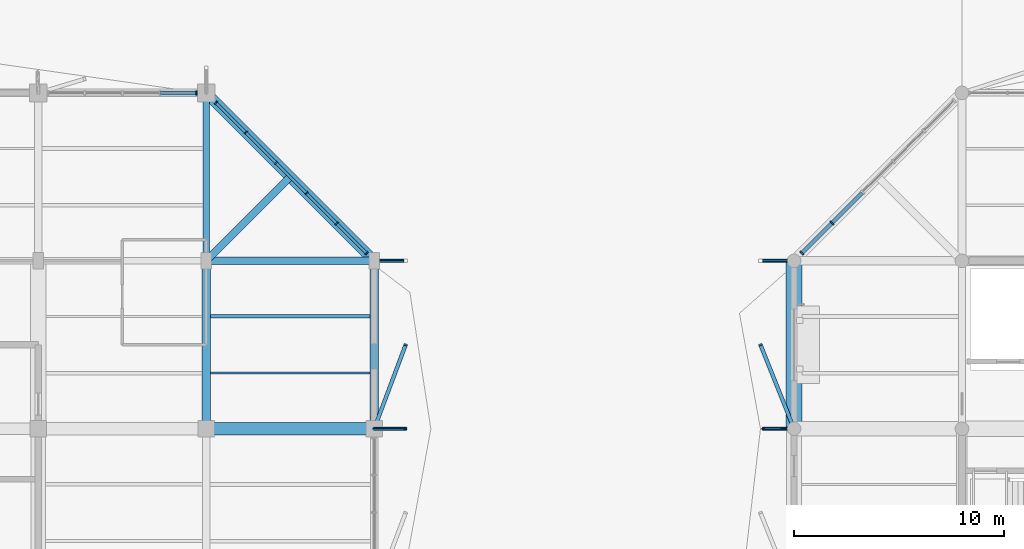
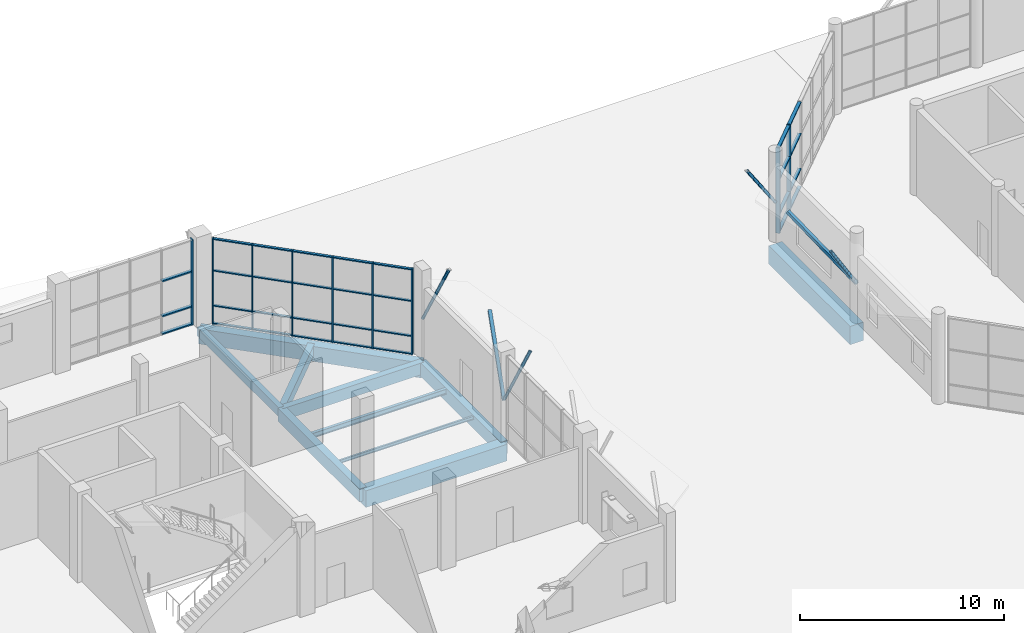
# One storey, part 48 of 123: 46 members, 10 beams, 3 elements without a shape of their own.
"""IFC4 building model written with IfcOpenShell, lengths in metres."""

from ifc_helpers import new_model, si_unit, direction, frame, origin, origin_2d, place, context, subcontext, project, spatial, rectangle, hollow_rectangle, hollow_circle, i_section, extrude, material, material_profile, profile_set, type_object, element, aggregate, save


model = new_model("IFC4")

# Units and contexts
model_context = context("Model", 3, precision=1e-05, world=origin(), true_north=direction((0.0, 1.0)))
body_context = subcontext(model_context, "Body", "Model", "MODEL_VIEW")
ifc_project = project(units=[si_unit("LENGTHUNIT", "METRE"), si_unit("AREAUNIT", "SQUARE_METRE"), si_unit("VOLUMEUNIT", "CUBIC_METRE"), si_unit("PLANEANGLEUNIT", "RADIAN"), si_unit("MASSUNIT", "GRAM", prefix="KILO")], contexts=[model_context])

# Site, building, storey
site_placement = place(None, origin())
site = spatial("IfcSite", under=ifc_project, at=site_placement, CompositionType="ELEMENT")
building_placement = place(site_placement, origin())
building = spatial("IfcBuilding", under=site, at=building_placement, Name="Tenunan Teduh Sports Hall", CompositionType="ELEMENT")
storey_placement = place(building_placement, origin())
storey = spatial("IfcBuildingStorey", under=building, at=storey_placement, Name="L00", CompositionType="ELEMENT", Elevation=0.0)

# Beams
ifc_material_1 = material(Name="Concrete C40/50", Category="concrete")
ifc_material_profile_1 = material_profile(ifc_material_1, rectangle(XDim=0.300048828125, YDim=0.550048828125, at=origin_2d()), Name="RCB 300x550")
ifc_profile_set_1 = profile_set([ifc_material_profile_1], Name="Concrete C40/50")
beam_type_1 = type_object("IfcBeamType", Name="BM-RC-300x550", PredefinedType="BEAM", material=ifc_profile_set_1)
beam_1_placement = place(storey_placement, frame((70.0, 110.0, -0.554931640625), z_axis=(0.0, 1.0, 0.0), x_axis=(-1.0, 0.0, 0.0)))
element("IfcBeam", 1, at=beam_1_placement, inside=storey, type_object=beam_type_1, Name="BM-B-02-L00-0820", PredefinedType="BEAM", context=body_context, shape_type="SweptSolid", body=[
    extrude(rectangle(XDim=0.300048828125, YDim=0.550048828125, at=origin_2d()), origin(), (0.0, 0.0, 1.0), 8.0),
])
ifc_material_2 = material(Name="Concrete C40/50", Category="concrete")
ifc_material_profile_2 = material_profile(ifc_material_2, rectangle(XDim=0.35009765625, YDim=0.60009765625, at=origin_2d()), Name="RCB 350x600")
ifc_profile_set_2 = profile_set([ifc_material_profile_2], Name="Concrete C40/50")
beam_type_2 = type_object("IfcBeamType", Name="BM-RC-350x600", PredefinedType="BEAM", material=ifc_profile_set_2)
beam_2_placement = place(storey_placement, frame((70.0, 110.0, -0.580078125), z_axis=(0.707106781187, 0.707106781187, 0.0), x_axis=(-0.707106781187, 0.707106781187, 0.0)))
element("IfcBeam", 2, at=beam_2_placement, inside=storey, type_object=beam_type_2, Name="BM-B-04-L00-2228", PredefinedType="BEAM", context=body_context, shape_type="SweptSolid", body=[
    extrude(rectangle(XDim=0.35009765625, YDim=0.60009765625, at=origin_2d()), origin(), (0.0, 0.0, 1.0), 5.65673828125),
])
ifc_material_3 = material(Name="Concrete C40/50", Category="concrete")
ifc_material_profile_3 = material_profile(ifc_material_3, rectangle(XDim=0.35009765625, YDim=0.699951171875, at=origin_2d()), Name="RCB 350x700")
ifc_profile_set_3 = profile_set([ifc_material_profile_3], Name="Concrete C40/50")
beam_type_3 = type_object("IfcBeamType", Name="BM-RC-350x700", PredefinedType="BEAM", material=ifc_profile_set_3)
beam_3_placement = place(storey_placement, frame((70.0, 110.0, -0.6298828125), z_axis=(1.0, 0.0, 0.0), x_axis=(0.0, 1.0, 0.0)))
element("IfcBeam", 3, at=beam_3_placement, inside=storey, type_object=beam_type_3, Name="BM-B-06-L00-0741", PredefinedType="BEAM", context=body_context, shape_type="SweptSolid", body=[
    extrude(rectangle(XDim=0.35009765625, YDim=0.699951171875, at=origin_2d()), origin(), (0.0, 0.0, 1.0), 8.0),
])
ifc_material_4 = material(Name="Concrete C40/50", Category="concrete")
ifc_material_profile_4 = material_profile(ifc_material_4, rectangle(XDim=0.39990234375, YDim=0.800048828125, at=origin_2d()), Name="RCB 400x800")
ifc_profile_set_4 = profile_set([ifc_material_profile_4], Name="Concrete C40/50")
beam_type_4 = type_object("IfcBeamType", Name="BM-RC-400x800", PredefinedType="BEAM", material=ifc_profile_set_4)
beam_4_placement = place(storey_placement, frame((78.0, 102.0, -0.679931640625), z_axis=(0.0, 1.0, 0.0), x_axis=(-1.0, 0.0, 0.0)))
element("IfcBeam", 4, at=beam_4_placement, inside=storey, type_object=beam_type_4, Name="BM-B-10-L00-0827", PredefinedType="BEAM", context=body_context, shape_type="SweptSolid", body=[
    extrude(rectangle(XDim=0.39990234375, YDim=0.800048828125, at=origin_2d()), origin(), (0.0, 0.0, 1.0), 8.0),
])
ifc_material_5 = material(Name="Concrete C40/50", Category="concrete")
ifc_material_profile_5 = material_profile(ifc_material_5, rectangle(XDim=0.5, YDim=0.89990234375, at=origin_2d()), Name="RCB 500x900")
ifc_profile_set_5 = profile_set([ifc_material_profile_5], Name="Concrete C40/50")
beam_type_5 = type_object("IfcBeamType", Name="BM-RC-500x900", PredefinedType="BEAM", material=ifc_profile_set_5)
beam_5_placement = place(storey_placement, frame((70.0, 118.0, -0.72998046875), z_axis=(0.707106781187, -0.707106781187, 0.0), x_axis=(0.707106781187, 0.707106781187, 0.0)))
element("IfcBeam", 5, at=beam_5_placement, inside=storey, type_object=beam_type_5, Name="BM-B-15-L00-0593", PredefinedType="BEAM", context=body_context, shape_type="SweptSolid", body=[
    extrude(rectangle(XDim=0.5, YDim=0.89990234375, at=origin_2d()), origin(), (0.0, 0.0, 1.0), 11.313720703125),
])
ifc_material_6 = material(Name="Concrete C40/50", Category="concrete")
ifc_material_profile_6 = material_profile(ifc_material_6, rectangle(XDim=0.60009765625, YDim=1.0, at=origin_2d()), Name="RCB 600x1000")
ifc_profile_set_6 = profile_set([ifc_material_profile_6], Name="Concrete C40/50")
beam_type_6 = type_object("IfcBeamType", Name="BM-RC-600x1000", PredefinedType="BEAM", material=ifc_profile_set_6)
beam_6_placement = place(storey_placement, frame((70.0, 102.0, -0.780029296875), z_axis=(1.0, 0.0, 0.0), x_axis=(0.0, 1.0, 0.0)))
element("IfcBeam", 6, at=beam_6_placement, inside=storey, type_object=beam_type_6, Name="BM-B-18-L00-0724", PredefinedType="BEAM", context=body_context, shape_type="SweptSolid", body=[
    extrude(rectangle(XDim=0.60009765625, YDim=1.0, at=origin_2d()), origin(), (0.0, 0.0, 1.0), 8.0),
])
ifc_material_7 = material(Name="Concrete C40/50", Category="concrete")
ifc_material_profile_7 = material_profile(ifc_material_7, rectangle(XDim=0.75, YDim=1.10009765625, at=origin_2d()), Name="RCB 750x1100")
ifc_profile_set_7 = profile_set([ifc_material_profile_7], Name="Concrete C40/50")
beam_type_7 = type_object("IfcBeamType", Name="BM-RC-750x1100", PredefinedType="SPANDREL", material=ifc_profile_set_7)
beam_7_placement = place(storey_placement, frame((98.0, 102.0, -0.830078125), z_axis=(0.0, 1.0, 0.0), x_axis=(-1.0, 0.0, 0.0)))
element("IfcBeam", 7, at=beam_7_placement, inside=storey, type_object=beam_type_7, Name="BM-B-20-L00-0833", PredefinedType="SPANDREL", context=body_context, shape_type="SweptSolid", body=[
    extrude(rectangle(XDim=0.75, YDim=1.10009765625, at=origin_2d()), origin(), (0.0, 0.0, 1.0), 8.0),
])
ifc_material_8 = material(Name="Concrete C40/50", Category="concrete")
ifc_material_profile_8 = material_profile(ifc_material_8, rectangle(XDim=0.39990234375, YDim=0.780029296875, at=origin_2d()), Name="TB 400x780")
ifc_profile_set_8 = profile_set([ifc_material_profile_8], Name="Concrete C40/50")
beam_type_8 = type_object("IfcBeamType", Name="BM-TB-400x780", PredefinedType="T_BEAM", material=ifc_profile_set_8)
beam_8_placement = place(storey_placement, frame((70.0, 102.0, -0.669921875), z_axis=(0.0, 1.0, 0.0), x_axis=(-1.0, 0.0, 0.0)))
element("IfcBeam", 8, at=beam_8_placement, inside=storey, type_object=beam_type_8, Name="BM-TB-02-L00-0819", PredefinedType="T_BEAM", context=body_context, shape_type="SweptSolid", body=[
    extrude(rectangle(XDim=0.39990234375, YDim=0.780029296875, at=origin_2d()), origin(), (0.0, 0.0, 1.0), 8.0),
])

# Curtain wall, members
ifc_material_9 = material(Name="Anodised aluminium", Category="aluminium")
curtain_wall_type = type_object("IfcCurtainWallType", Name="CW-UNIT-1", PredefinedType="NOTDEFINED", material=ifc_material_9)
curtain_wall_1_placement = place(storey_placement, origin())
curtain_wall_1 = element("IfcCurtainWall", 9, at=curtain_wall_1_placement, inside=storey, type_object=curtain_wall_type, Name="CW-CWM-175-L00-194", PredefinedType="NOTDEFINED")
ifc_material_10 = material(Name="Anodised aluminium", Category="aluminium")
ifc_material_profile_9 = material_profile(ifc_material_10, rectangle(XDim=0.06494140625, YDim=0.175048828125, at=origin_2d()), Name="CWM 65x175")
ifc_profile_set_9 = profile_set([ifc_material_profile_9], Name="Anodised aluminium")
member_type_1 = type_object("IfcMemberType", Name="CWM-175", PredefinedType="MULLION", material=ifc_profile_set_9)
member_1_placement = place(storey_placement, frame((77.6357421875, 110.3642578125, 0.0), z_axis=(0.0, 0.0, 1.0), x_axis=(-0.707106781187, 0.707106781187, 0.0)))
member_1 = element("IfcMember", 10, at=member_1_placement, type_object=member_type_1, Name="CW-01 mullion 1", PredefinedType="MULLION", context=body_context, shape_type="SweptSolid", body=[
    extrude(rectangle(XDim=0.06494140625, YDim=0.175048828125, at=origin_2d()), origin(), (0.0, 0.0, 1.0), 5.1201171875),
])
member_2_placement = place(storey_placement, frame((76.21630859375, 111.78369140625, 0.0), z_axis=(0.0, 0.0, 1.0), x_axis=(-0.707106781187, 0.707106781187, 0.0)))
member_2 = element("IfcMember", 11, at=member_2_placement, type_object=member_type_1, Name="CW-01 mullion 2", PredefinedType="MULLION", context=body_context, shape_type="SweptSolid", body=[
    extrude(rectangle(XDim=0.06494140625, YDim=0.175048828125, at=origin_2d()), origin(), (0.0, 0.0, 1.0), 5.1201171875),
])
member_3_placement = place(storey_placement, frame((74.773681640625, 113.226318359375, 0.0), z_axis=(0.0, 0.0, 1.0), x_axis=(-0.707106781187, 0.707106781187, 0.0)))
member_3 = element("IfcMember", 12, at=member_3_placement, type_object=member_type_1, Name="CW-01 mullion 3", PredefinedType="MULLION", context=body_context, shape_type="SweptSolid", body=[
    extrude(rectangle(XDim=0.06494140625, YDim=0.175048828125, at=origin_2d()), origin(), (0.0, 0.0, 1.0), 5.1201171875),
])
member_4_placement = place(storey_placement, frame((73.331298828125, 114.668701171875, 0.0), z_axis=(0.0, 0.0, 1.0), x_axis=(-0.707106781187, 0.707106781187, 0.0)))
member_4 = element("IfcMember", 13, at=member_4_placement, type_object=member_type_1, Name="CW-01 mullion 4", PredefinedType="MULLION", context=body_context, shape_type="SweptSolid", body=[
    extrude(rectangle(XDim=0.06494140625, YDim=0.175048828125, at=origin_2d()), origin(), (0.0, 0.0, 1.0), 5.1201171875),
])
member_5_placement = place(storey_placement, frame((71.888671875, 116.111328125, 0.0), z_axis=(0.0, 0.0, 1.0), x_axis=(-0.707106781187, 0.707106781187, 0.0)))
member_5 = element("IfcMember", 14, at=member_5_placement, type_object=member_type_1, Name="CW-01 mullion 5", PredefinedType="MULLION", context=body_context, shape_type="SweptSolid", body=[
    extrude(rectangle(XDim=0.06494140625, YDim=0.175048828125, at=origin_2d()), origin(), (0.0, 0.0, 1.0), 5.1201171875),
])
member_6_placement = place(storey_placement, frame((70.46923828125, 117.53076171875, 0.0), z_axis=(0.0, 0.0, 1.0), x_axis=(-0.707106781187, 0.707106781187, 0.0)))
member_6 = element("IfcMember", 15, at=member_6_placement, type_object=member_type_1, Name="CW-01 mullion 6", PredefinedType="MULLION", context=body_context, shape_type="SweptSolid", body=[
    extrude(rectangle(XDim=0.06494140625, YDim=0.175048828125, at=origin_2d()), origin(), (0.0, 0.0, 1.0), 5.1201171875),
])

# Curtain wall, member
curtain_wall_2_placement = place(storey_placement, origin())
curtain_wall_2 = element("IfcCurtainWall", 16, at=curtain_wall_2_placement, inside=storey, type_object=curtain_wall_type, Name="CW-CWM-220-L00-197", PredefinedType="NOTDEFINED")
ifc_material_11 = material(Name="Anodised aluminium", Category="aluminium")
ifc_material_profile_10 = material_profile(ifc_material_11, rectangle(XDim=0.074951171875, YDim=0.219970703125, at=origin_2d()), Name="CWM 75x220")
ifc_profile_set_10 = profile_set([ifc_material_profile_10], Name="Anodised aluminium")
member_type_2 = type_object("IfcMemberType", Name="CWM-220", PredefinedType="MULLION", material=ifc_profile_set_10)
member_7_placement = place(storey_placement, frame((69.53759765625, 118.0, 0.0), z_axis=(0.0, 0.0, 1.0), x_axis=(1.0, 0.0, 0.0)))
member_7 = element("IfcMember", 17, at=member_7_placement, type_object=member_type_2, Name="CW-01 mullion 5", PredefinedType="MULLION", context=body_context, shape_type="SweptSolid", body=[
    extrude(rectangle(XDim=0.074951171875, YDim=0.219970703125, at=origin_2d()), origin(), (0.0, 0.0, 1.0), 5.1201171875),
])

# Curtain wall, members
curtain_wall_3_placement = place(storey_placement, origin())
curtain_wall_3 = element("IfcCurtainWall", 18, at=curtain_wall_3_placement, inside=storey, type_object=curtain_wall_type, Name="CW-CWM-220-L00-241", PredefinedType="NOTDEFINED")
member_8_placement = place(storey_placement, frame((98.367919921875, 110.367919921875, 0.0), z_axis=(0.0, 0.0, 1.0), x_axis=(0.707106781187, 0.707106781187, 0.0)))
member_8 = element("IfcMember", 19, at=member_8_placement, type_object=member_type_2, Name="CW-01 mullion 1", PredefinedType="MULLION", context=body_context, shape_type="SweptSolid", body=[
    extrude(rectangle(XDim=0.074951171875, YDim=0.219970703125, at=origin_2d()), origin(), (0.0, 0.0, 1.0), 5.1201171875),
])
member_9_placement = place(storey_placement, frame((99.8046875, 111.8046875, 0.0), z_axis=(0.0, 0.0, 1.0), x_axis=(0.707106781187, 0.707106781187, 0.0)))
member_9 = element("IfcMember", 20, at=member_9_placement, type_object=member_type_2, Name="CW-01 mullion 2", PredefinedType="MULLION", context=body_context, shape_type="SweptSolid", body=[
    extrude(rectangle(XDim=0.074951171875, YDim=0.219970703125, at=origin_2d()), origin(), (0.0, 0.0, 1.0), 5.1201171875),
])

# Member
ifc_material_12 = material(Name="Anodised aluminium", Category="aluminium")
ifc_material_profile_11 = material_profile(ifc_material_12, rectangle(XDim=0.06494140625, YDim=0.139892578125, at=origin_2d()), Name="CWT 65x140")
ifc_profile_set_11 = profile_set([ifc_material_profile_11], Name="Anodised aluminium")
member_type_3 = type_object("IfcMemberType", Name="CWT-150", PredefinedType="USERDEFINED", material=ifc_profile_set_11)
member_10_placement = place(storey_placement, frame((77.61279296875, 110.38720703125, 0.032470703125), z_axis=(-0.707106781187, 0.707106781187, 0.0), x_axis=(0.0, 0.0, 1.0)))
member_10 = element("IfcMember", 21, at=member_10_placement, type_object=member_type_3, Name="CW-01 transom 1.1", ObjectType="TRANSOM", PredefinedType="USERDEFINED", context=body_context, shape_type="SweptSolid", body=[
    extrude(rectangle(XDim=0.06494140625, YDim=0.139892578125, at=origin_2d()), origin(), (0.0, 0.0, 1.0), 1.9423828125),
])

member_11_placement = place(storey_placement, frame((77.61279296875, 110.38720703125, 1.10009765625), z_axis=(-0.707106781187, 0.707106781187, 0.0), x_axis=(0.0, 0.0, 1.0)))
member_11 = element("IfcMember", 22, at=member_11_placement, type_object=member_type_3, Name="CW-01 transom 1.2", ObjectType="TRANSOM", PredefinedType="USERDEFINED", context=body_context, shape_type="SweptSolid", body=[
    extrude(rectangle(XDim=0.06494140625, YDim=0.139892578125, at=origin_2d()), origin(), (0.0, 0.0, 1.0), 1.9423828125),
])

member_12_placement = place(storey_placement, frame((77.61279296875, 110.38720703125, 3.199951171875), z_axis=(-0.707106781187, 0.707106781187, 0.0), x_axis=(0.0, 0.0, 1.0)))
member_12 = element("IfcMember", 23, at=member_12_placement, type_object=member_type_3, Name="CW-01 transom 1.3", ObjectType="TRANSOM", PredefinedType="USERDEFINED", context=body_context, shape_type="SweptSolid", body=[
    extrude(rectangle(XDim=0.06494140625, YDim=0.139892578125, at=origin_2d()), origin(), (0.0, 0.0, 1.0), 1.9423828125),
])

member_13_placement = place(storey_placement, frame((77.61279296875, 110.38720703125, 5.08740234375), z_axis=(-0.707106781187, 0.707106781187, 0.0), x_axis=(0.0, 0.0, 1.0)))
member_13 = element("IfcMember", 24, at=member_13_placement, type_object=member_type_3, Name="CW-01 transom 1.4", ObjectType="TRANSOM", PredefinedType="USERDEFINED", context=body_context, shape_type="SweptSolid", body=[
    extrude(rectangle(XDim=0.06494140625, YDim=0.139892578125, at=origin_2d()), origin(), (0.0, 0.0, 1.0), 1.9423828125),
])

member_14_placement = place(storey_placement, frame((76.193359375, 111.806640625, 0.032470703125), z_axis=(-0.707106781187, 0.707106781187, 0.0), x_axis=(0.0, 0.0, 1.0)))
member_14 = element("IfcMember", 25, at=member_14_placement, type_object=member_type_3, Name="CW-01 transom 2.1", ObjectType="TRANSOM", PredefinedType="USERDEFINED", context=body_context, shape_type="SweptSolid", body=[
    extrude(rectangle(XDim=0.06494140625, YDim=0.139892578125, at=origin_2d()), origin(), (0.0, 0.0, 1.0), 1.975341796875),
])

member_15_placement = place(storey_placement, frame((76.193359375, 111.806640625, 1.10009765625), z_axis=(-0.707106781187, 0.707106781187, 0.0), x_axis=(0.0, 0.0, 1.0)))
member_15 = element("IfcMember", 26, at=member_15_placement, type_object=member_type_3, Name="CW-01 transom 2.2", ObjectType="TRANSOM", PredefinedType="USERDEFINED", context=body_context, shape_type="SweptSolid", body=[
    extrude(rectangle(XDim=0.06494140625, YDim=0.139892578125, at=origin_2d()), origin(), (0.0, 0.0, 1.0), 1.975341796875),
])

member_16_placement = place(storey_placement, frame((76.193359375, 111.806640625, 3.199951171875), z_axis=(-0.707106781187, 0.707106781187, 0.0), x_axis=(0.0, 0.0, 1.0)))
member_16 = element("IfcMember", 27, at=member_16_placement, type_object=member_type_3, Name="CW-01 transom 2.3", ObjectType="TRANSOM", PredefinedType="USERDEFINED", context=body_context, shape_type="SweptSolid", body=[
    extrude(rectangle(XDim=0.06494140625, YDim=0.139892578125, at=origin_2d()), origin(), (0.0, 0.0, 1.0), 1.975341796875),
])

member_17_placement = place(storey_placement, frame((76.193359375, 111.806640625, 5.08740234375), z_axis=(-0.707106781187, 0.707106781187, 0.0), x_axis=(0.0, 0.0, 1.0)))
member_17 = element("IfcMember", 28, at=member_17_placement, type_object=member_type_3, Name="CW-01 transom 2.4", ObjectType="TRANSOM", PredefinedType="USERDEFINED", context=body_context, shape_type="SweptSolid", body=[
    extrude(rectangle(XDim=0.06494140625, YDim=0.139892578125, at=origin_2d()), origin(), (0.0, 0.0, 1.0), 1.975341796875),
])

member_18_placement = place(storey_placement, frame((74.750732421875, 113.249267578125, 0.032470703125), z_axis=(-0.707106781187, 0.707106781187, 0.0), x_axis=(0.0, 0.0, 1.0)))
member_18 = element("IfcMember", 29, at=member_18_placement, type_object=member_type_3, Name="CW-01 transom 3.1", ObjectType="TRANSOM", PredefinedType="USERDEFINED", context=body_context, shape_type="SweptSolid", body=[
    extrude(rectangle(XDim=0.06494140625, YDim=0.139892578125, at=origin_2d()), origin(), (0.0, 0.0, 1.0), 1.974853515625),
])

member_19_placement = place(storey_placement, frame((74.750732421875, 113.249267578125, 1.10009765625), z_axis=(-0.707106781187, 0.707106781187, 0.0), x_axis=(0.0, 0.0, 1.0)))
member_19 = element("IfcMember", 30, at=member_19_placement, type_object=member_type_3, Name="CW-01 transom 3.2", ObjectType="TRANSOM", PredefinedType="USERDEFINED", context=body_context, shape_type="SweptSolid", body=[
    extrude(rectangle(XDim=0.06494140625, YDim=0.139892578125, at=origin_2d()), origin(), (0.0, 0.0, 1.0), 1.974853515625),
])

member_20_placement = place(storey_placement, frame((74.750732421875, 113.249267578125, 3.199951171875), z_axis=(-0.707106781187, 0.707106781187, 0.0), x_axis=(0.0, 0.0, 1.0)))
member_20 = element("IfcMember", 31, at=member_20_placement, type_object=member_type_3, Name="CW-01 transom 3.3", ObjectType="TRANSOM", PredefinedType="USERDEFINED", context=body_context, shape_type="SweptSolid", body=[
    extrude(rectangle(XDim=0.06494140625, YDim=0.139892578125, at=origin_2d()), origin(), (0.0, 0.0, 1.0), 1.974853515625),
])

member_21_placement = place(storey_placement, frame((74.750732421875, 113.249267578125, 5.08740234375), z_axis=(-0.707106781187, 0.707106781187, 0.0), x_axis=(0.0, 0.0, 1.0)))
member_21 = element("IfcMember", 32, at=member_21_placement, type_object=member_type_3, Name="CW-01 transom 3.4", ObjectType="TRANSOM", PredefinedType="USERDEFINED", context=body_context, shape_type="SweptSolid", body=[
    extrude(rectangle(XDim=0.06494140625, YDim=0.139892578125, at=origin_2d()), origin(), (0.0, 0.0, 1.0), 1.974853515625),
])

member_22_placement = place(storey_placement, frame((73.308349609375, 114.691650390625, 0.032470703125), z_axis=(-0.707106781187, 0.707106781187, 0.0), x_axis=(0.0, 0.0, 1.0)))
member_22 = element("IfcMember", 33, at=member_22_placement, type_object=member_type_3, Name="CW-01 transom 4.1", ObjectType="TRANSOM", PredefinedType="USERDEFINED", context=body_context, shape_type="SweptSolid", body=[
    extrude(rectangle(XDim=0.06494140625, YDim=0.139892578125, at=origin_2d()), origin(), (0.0, 0.0, 1.0), 1.974853515625),
])

member_23_placement = place(storey_placement, frame((73.308349609375, 114.691650390625, 1.10009765625), z_axis=(-0.707106781187, 0.707106781187, 0.0), x_axis=(0.0, 0.0, 1.0)))
member_23 = element("IfcMember", 34, at=member_23_placement, type_object=member_type_3, Name="CW-01 transom 4.2", ObjectType="TRANSOM", PredefinedType="USERDEFINED", context=body_context, shape_type="SweptSolid", body=[
    extrude(rectangle(XDim=0.06494140625, YDim=0.139892578125, at=origin_2d()), origin(), (0.0, 0.0, 1.0), 1.974853515625),
])

member_24_placement = place(storey_placement, frame((73.308349609375, 114.691650390625, 3.199951171875), z_axis=(-0.707106781187, 0.707106781187, 0.0), x_axis=(0.0, 0.0, 1.0)))
member_24 = element("IfcMember", 35, at=member_24_placement, type_object=member_type_3, Name="CW-01 transom 4.3", ObjectType="TRANSOM", PredefinedType="USERDEFINED", context=body_context, shape_type="SweptSolid", body=[
    extrude(rectangle(XDim=0.06494140625, YDim=0.139892578125, at=origin_2d()), origin(), (0.0, 0.0, 1.0), 1.974853515625),
])

member_25_placement = place(storey_placement, frame((73.308349609375, 114.691650390625, 5.08740234375), z_axis=(-0.707106781187, 0.707106781187, 0.0), x_axis=(0.0, 0.0, 1.0)))
member_25 = element("IfcMember", 36, at=member_25_placement, type_object=member_type_3, Name="CW-01 transom 4.4", ObjectType="TRANSOM", PredefinedType="USERDEFINED", context=body_context, shape_type="SweptSolid", body=[
    extrude(rectangle(XDim=0.06494140625, YDim=0.139892578125, at=origin_2d()), origin(), (0.0, 0.0, 1.0), 1.974853515625),
])

member_26_placement = place(storey_placement, frame((71.86572265625, 116.13427734375, 0.032470703125), z_axis=(-0.707106781187, 0.707106781187, 0.0), x_axis=(0.0, 0.0, 1.0)))
member_26 = element("IfcMember", 37, at=member_26_placement, type_object=member_type_3, Name="CW-01 transom 5.1", ObjectType="TRANSOM", PredefinedType="USERDEFINED", context=body_context, shape_type="SweptSolid", body=[
    extrude(rectangle(XDim=0.06494140625, YDim=0.139892578125, at=origin_2d()), origin(), (0.0, 0.0, 1.0), 1.9423828125),
])

member_27_placement = place(storey_placement, frame((71.86572265625, 116.13427734375, 1.10009765625), z_axis=(-0.707106781187, 0.707106781187, 0.0), x_axis=(0.0, 0.0, 1.0)))
member_27 = element("IfcMember", 38, at=member_27_placement, type_object=member_type_3, Name="CW-01 transom 5.2", ObjectType="TRANSOM", PredefinedType="USERDEFINED", context=body_context, shape_type="SweptSolid", body=[
    extrude(rectangle(XDim=0.06494140625, YDim=0.139892578125, at=origin_2d()), origin(), (0.0, 0.0, 1.0), 1.9423828125),
])

member_28_placement = place(storey_placement, frame((71.86572265625, 116.13427734375, 3.199951171875), z_axis=(-0.707106781187, 0.707106781187, 0.0), x_axis=(0.0, 0.0, 1.0)))
member_28 = element("IfcMember", 39, at=member_28_placement, type_object=member_type_3, Name="CW-01 transom 5.3", ObjectType="TRANSOM", PredefinedType="USERDEFINED", context=body_context, shape_type="SweptSolid", body=[
    extrude(rectangle(XDim=0.06494140625, YDim=0.139892578125, at=origin_2d()), origin(), (0.0, 0.0, 1.0), 1.9423828125),
])

member_29_placement = place(storey_placement, frame((71.86572265625, 116.13427734375, 5.08740234375), z_axis=(-0.707106781187, 0.707106781187, 0.0), x_axis=(0.0, 0.0, 1.0)))
member_29 = element("IfcMember", 40, at=member_29_placement, type_object=member_type_3, Name="CW-01 transom 5.4", ObjectType="TRANSOM", PredefinedType="USERDEFINED", context=body_context, shape_type="SweptSolid", body=[
    extrude(rectangle(XDim=0.06494140625, YDim=0.139892578125, at=origin_2d()), origin(), (0.0, 0.0, 1.0), 1.9423828125),
])

aggregate(curtain_wall_1, [member_1, member_2, member_3, member_4, member_5, member_6, member_10, member_11, member_12, member_13, member_14, member_15, member_16, member_17, member_18, member_19, member_20, member_21, member_22, member_23, member_24, member_25, member_26, member_27, member_28, member_29])

ifc_material_13 = material(Name="Anodised aluminium", Category="aluminium")
ifc_material_profile_12 = material_profile(ifc_material_13, rectangle(XDim=0.074951171875, YDim=0.179931640625, at=origin_2d()), Name="CWT 75x180")
ifc_profile_set_12 = profile_set([ifc_material_profile_12], Name="Anodised aluminium")
member_type_4 = type_object("IfcMemberType", Name="CWT-180", PredefinedType="USERDEFINED", material=ifc_profile_set_12)
member_30_placement = place(storey_placement, frame((67.824951171875, 118.0, 0.03759765625), z_axis=(1.0, 0.0, 0.0), x_axis=(0.0, 0.0, 1.0)))
member_30 = element("IfcMember", 41, at=member_30_placement, type_object=member_type_4, Name="CW-01 transom 4.1", ObjectType="TRANSOM", PredefinedType="USERDEFINED", context=body_context, shape_type="SweptSolid", body=[
    extrude(rectangle(XDim=0.074951171875, YDim=0.179931640625, at=origin_2d()), origin(), (0.0, 0.0, 1.0), 1.675048828125),
])

member_31_placement = place(storey_placement, frame((67.824951171875, 118.0, 1.10009765625), z_axis=(1.0, 0.0, 0.0), x_axis=(0.0, 0.0, 1.0)))
member_31 = element("IfcMember", 42, at=member_31_placement, type_object=member_type_4, Name="CW-01 transom 4.2", ObjectType="TRANSOM", PredefinedType="USERDEFINED", context=body_context, shape_type="SweptSolid", body=[
    extrude(rectangle(XDim=0.074951171875, YDim=0.179931640625, at=origin_2d()), origin(), (0.0, 0.0, 1.0), 1.675048828125),
])

member_32_placement = place(storey_placement, frame((67.824951171875, 118.0, 3.199951171875), z_axis=(1.0, 0.0, 0.0), x_axis=(0.0, 0.0, 1.0)))
member_32 = element("IfcMember", 43, at=member_32_placement, type_object=member_type_4, Name="CW-01 transom 4.3", ObjectType="TRANSOM", PredefinedType="USERDEFINED", context=body_context, shape_type="SweptSolid", body=[
    extrude(rectangle(XDim=0.074951171875, YDim=0.179931640625, at=origin_2d()), origin(), (0.0, 0.0, 1.0), 1.675048828125),
])

aggregate(curtain_wall_2, [member_7, member_30, member_31, member_32])

member_33_placement = place(storey_placement, frame((98.394287109375, 110.394287109375, 0.03759765625), z_axis=(0.707106781187, 0.707106781187, 0.0), x_axis=(0.0, 0.0, 1.0)))
member_33 = element("IfcMember", 44, at=member_33_placement, type_object=member_type_4, Name="CW-01 transom 1.1", ObjectType="TRANSOM", PredefinedType="USERDEFINED", context=body_context, shape_type="SweptSolid", body=[
    extrude(rectangle(XDim=0.074951171875, YDim=0.179931640625, at=origin_2d()), origin(), (0.0, 0.0, 1.0), 1.957275390625),
])

member_34_placement = place(storey_placement, frame((98.394287109375, 110.394287109375, 1.10009765625), z_axis=(0.707106781187, 0.707106781187, 0.0), x_axis=(0.0, 0.0, 1.0)))
member_34 = element("IfcMember", 45, at=member_34_placement, type_object=member_type_4, Name="CW-01 transom 1.2", ObjectType="TRANSOM", PredefinedType="USERDEFINED", context=body_context, shape_type="SweptSolid", body=[
    extrude(rectangle(XDim=0.074951171875, YDim=0.179931640625, at=origin_2d()), origin(), (0.0, 0.0, 1.0), 1.957275390625),
])

member_35_placement = place(storey_placement, frame((98.394287109375, 110.394287109375, 3.199951171875), z_axis=(0.707106781187, 0.707106781187, 0.0), x_axis=(0.0, 0.0, 1.0)))
member_35 = element("IfcMember", 46, at=member_35_placement, type_object=member_type_4, Name="CW-01 transom 1.3", ObjectType="TRANSOM", PredefinedType="USERDEFINED", context=body_context, shape_type="SweptSolid", body=[
    extrude(rectangle(XDim=0.074951171875, YDim=0.179931640625, at=origin_2d()), origin(), (0.0, 0.0, 1.0), 1.957275390625),
])

member_36_placement = place(storey_placement, frame((98.394287109375, 110.394287109375, 5.08251953125), z_axis=(0.707106781187, 0.707106781187, 0.0), x_axis=(0.0, 0.0, 1.0)))
member_36 = element("IfcMember", 47, at=member_36_placement, type_object=member_type_4, Name="CW-01 transom 1.4", ObjectType="TRANSOM", PredefinedType="USERDEFINED", context=body_context, shape_type="SweptSolid", body=[
    extrude(rectangle(XDim=0.074951171875, YDim=0.179931640625, at=origin_2d()), origin(), (0.0, 0.0, 1.0), 1.957275390625),
])

member_37_placement = place(storey_placement, frame((99.831298828125, 111.831298828125, 0.03759765625), z_axis=(0.707106781187, 0.707106781187, 0.0), x_axis=(0.0, 0.0, 1.0)))
member_37 = element("IfcMember", 48, at=member_37_placement, type_object=member_type_4, Name="CW-01 transom 2.1", ObjectType="TRANSOM", PredefinedType="USERDEFINED", context=body_context, shape_type="SweptSolid", body=[
    extrude(rectangle(XDim=0.074951171875, YDim=0.179931640625, at=origin_2d()), origin(), (0.0, 0.0, 1.0), 1.99462890625),
])

member_38_placement = place(storey_placement, frame((99.831298828125, 111.831298828125, 1.10009765625), z_axis=(0.707106781187, 0.707106781187, 0.0), x_axis=(0.0, 0.0, 1.0)))
member_38 = element("IfcMember", 49, at=member_38_placement, type_object=member_type_4, Name="CW-01 transom 2.2", ObjectType="TRANSOM", PredefinedType="USERDEFINED", context=body_context, shape_type="SweptSolid", body=[
    extrude(rectangle(XDim=0.074951171875, YDim=0.179931640625, at=origin_2d()), origin(), (0.0, 0.0, 1.0), 1.99462890625),
])

member_39_placement = place(storey_placement, frame((99.831298828125, 111.831298828125, 3.199951171875), z_axis=(0.707106781187, 0.707106781187, 0.0), x_axis=(0.0, 0.0, 1.0)))
member_39 = element("IfcMember", 50, at=member_39_placement, type_object=member_type_4, Name="CW-01 transom 2.3", ObjectType="TRANSOM", PredefinedType="USERDEFINED", context=body_context, shape_type="SweptSolid", body=[
    extrude(rectangle(XDim=0.074951171875, YDim=0.179931640625, at=origin_2d()), origin(), (0.0, 0.0, 1.0), 1.99462890625),
])

member_40_placement = place(storey_placement, frame((99.831298828125, 111.831298828125, 5.08251953125), z_axis=(0.707106781187, 0.707106781187, 0.0), x_axis=(0.0, 0.0, 1.0)))
member_40 = element("IfcMember", 51, at=member_40_placement, type_object=member_type_4, Name="CW-01 transom 2.4", ObjectType="TRANSOM", PredefinedType="USERDEFINED", context=body_context, shape_type="SweptSolid", body=[
    extrude(rectangle(XDim=0.074951171875, YDim=0.179931640625, at=origin_2d()), origin(), (0.0, 0.0, 1.0), 1.99462890625),
])

aggregate(curtain_wall_3, [member_8, member_9, member_33, member_34, member_35, member_36, member_37, member_38, member_39, member_40])

# Beam
ifc_material_14 = material(Name="Steel S355", Category="steel")
ifc_material_profile_13 = material_profile(ifc_material_14, i_section(OverallWidth=0.10009765625, OverallDepth=0.199951171875, WebThickness=0.005615234375, FlangeThickness=0.008544921875, FilletRadius=0.011962890625, at=origin_2d()), Name="IPE 200")
ifc_profile_set_13 = profile_set([ifc_material_profile_13], Name="Steel S355")
beam_type_9 = type_object("IfcBeamType", Name="JST-IPE200", PredefinedType="JOIST", material=ifc_profile_set_13)
beam_9_placement = place(storey_placement, frame((70.199951171875, 104.64990234375, -0.3798828125), z_axis=(1.0, 0.0, 0.0), x_axis=(0.0, 1.0, 0.0)))
element("IfcBeam", 52, at=beam_9_placement, inside=storey, type_object=beam_type_9, Name="BM-J-01-L00-0974", PredefinedType="JOIST", context=body_context, shape_type="SweptSolid", body=[
    extrude(i_section(OverallWidth=0.10009765625, OverallDepth=0.199951171875, WebThickness=0.005615234375, FlangeThickness=0.008544921875, FilletRadius=0.011962890625, at=origin_2d()), origin(), (0.0, 0.0, 1.0), 7.60009765625),
])

# Members
ifc_material_15 = material(Name="Steel S355", Category="steel")
ifc_material_profile_14 = material_profile(ifc_material_15, hollow_circle(Radius=0.084228515625, WallThickness=0.008056640625, at=origin_2d()), Name="CHS 168.3x8.0")
ifc_profile_set_14 = profile_set([ifc_material_profile_14], Name="Steel S355")
member_type_5 = type_object("IfcMemberType", Name="MEM-BR-CHS168", PredefinedType="BRACE", material=ifc_profile_set_14)
for number, where, z_axis, x_axis, name in (
    (53, (78.0, 102.0, 2.199951171875), (0.526812074832, 0.0, 0.849981786753), (0.0, 1.0, 0.0), "MEM-GD-04-L00-1143"),
    (54, (78.0, 110.0, 2.199951171875), (0.526812074832, 0.0, 0.849981786753), (0.0, 1.0, 0.0), "MEM-GD-04-L00-1145"),
):
    element("IfcMember", number, at=place(storey_placement, frame(where, z_axis=z_axis, x_axis=x_axis)), inside=storey, type_object=member_type_5, Name=name, PredefinedType="BRACE", context=body_context, shape_type="SweptSolid", body=[
        extrude(hollow_circle(Radius=0.084228515625, WallThickness=0.008056640625, at=origin_2d()), origin(), (0.0, 0.0, 1.0), 2.847412109375),
    ])
member_41_placement = place(storey_placement, frame((98.0, 102.0, 2.199951171875), z_axis=(-0.519191292103, 0.001465667879, 0.854656804818), x_axis=(-0.002822971149, -0.999996015409, 0.0)))
element("IfcMember", 55, at=member_41_placement, inside=storey, type_object=member_type_5, Name="MEM-GD-04-L00-1171", PredefinedType="BRACE", context=body_context, shape_type="SweptSolid", body=[
    extrude(hollow_circle(Radius=0.084228515625, WallThickness=0.008056640625, at=origin_2d()), origin(), (0.0, 0.0, 1.0), 2.831787109375),
])
member_42_placement = place(storey_placement, frame((98.0, 110.0, 2.199951171875), z_axis=(-0.551511423487, 0.0, 0.834167339186), x_axis=(0.0, -1.0, 0.0)))
element("IfcMember", 56, at=member_42_placement, inside=storey, type_object=member_type_5, Name="MEM-GD-04-L00-1173", PredefinedType="BRACE", context=body_context, shape_type="SweptSolid", body=[
    extrude(hollow_circle(Radius=0.084228515625, WallThickness=0.008056640625, at=origin_2d()), origin(), (0.0, 0.0, 1.0), 2.9013671875),
])
ifc_material_16 = material(Name="Steel S355", Category="steel")
ifc_material_profile_15 = material_profile(ifc_material_16, hollow_rectangle(XDim=0.179931640625, YDim=0.179931640625, WallThickness=0.010009765625, at=origin_2d()), Name="SHS 180x180x10.0")
ifc_profile_set_15 = profile_set([ifc_material_profile_15], Name="Steel S355")
member_type_6 = type_object("IfcMemberType", Name="MEM-ST-SHS180", PredefinedType="STRUT", material=ifc_profile_set_15)
member_43_placement = place(storey_placement, frame((78.0, 102.0, 2.199951171875), z_axis=(0.3055046618, 0.814679098133, 0.492914666736), x_axis=(-0.936329177569, 0.351123441588, 0.0)))
element("IfcMember", 57, at=member_43_placement, inside=storey, type_object=member_type_6, Name="MEM-VS-03-L00-1144", PredefinedType="STRUT", context=body_context, shape_type="SweptSolid", body=[
    extrude(hollow_rectangle(XDim=0.179931640625, YDim=0.179931640625, WallThickness=0.010009765625, at=origin_2d()), origin(), (0.0, 0.0, 1.0), 4.909912109375),
])
member_44_placement = place(storey_placement, frame((98.0, 102.0, 2.199951171875), z_axis=(-0.323814094477, 0.809485829099, 0.489772523429), x_axis=(-0.928468874232, -0.37141021739, 0.0)))
element("IfcMember", 58, at=member_44_placement, inside=storey, type_object=member_type_6, Name="MEM-VS-03-L00-1172", PredefinedType="STRUT", context=body_context, shape_type="SweptSolid", body=[
    extrude(hollow_rectangle(XDim=0.179931640625, YDim=0.179931640625, WallThickness=0.010009765625, at=origin_2d()), origin(), (0.0, 0.0, 1.0), 4.94140625),
])

# Beam
ifc_material_17 = material(Name="Steel S355", Category="steel")
ifc_material_profile_16 = material_profile(ifc_material_17, i_section(OverallWidth=0.1650390625, OverallDepth=0.303466796875, WebThickness=0.006103515625, FlangeThickness=0.01025390625, FilletRadius=0.0087890625, at=origin_2d()), Name="UKB 305x165x40")
ifc_profile_set_16 = profile_set([ifc_material_profile_16], Name="Steel S355")
beam_type_10 = type_object("IfcBeamType", Name="SBM-UKB305", PredefinedType="BEAM", material=ifc_profile_set_16)
beam_10_placement = place(storey_placement, frame((70.199951171875, 107.35009765625, -0.431640625), z_axis=(1.0, 0.0, 0.0), x_axis=(0.0, 1.0, 0.0)))
element("IfcBeam", 59, at=beam_10_placement, inside=storey, type_object=beam_type_10, Name="BM-SB-01-L00-0975", PredefinedType="BEAM", context=body_context, shape_type="SweptSolid", body=[
    extrude(i_section(OverallWidth=0.1650390625, OverallDepth=0.303466796875, WebThickness=0.006103515625, FlangeThickness=0.01025390625, FilletRadius=0.0087890625, at=origin_2d()), origin(), (0.0, 0.0, 1.0), 7.60009765625),
])

save(model, "model.ifc")
